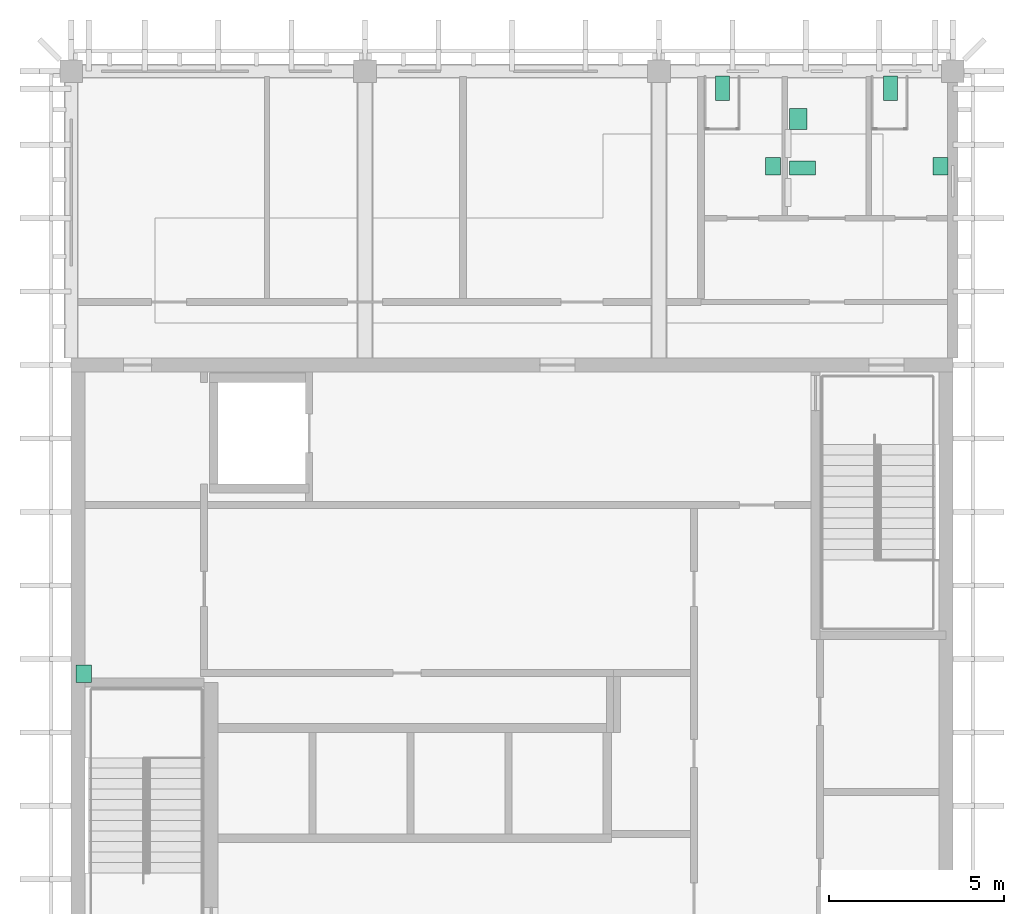
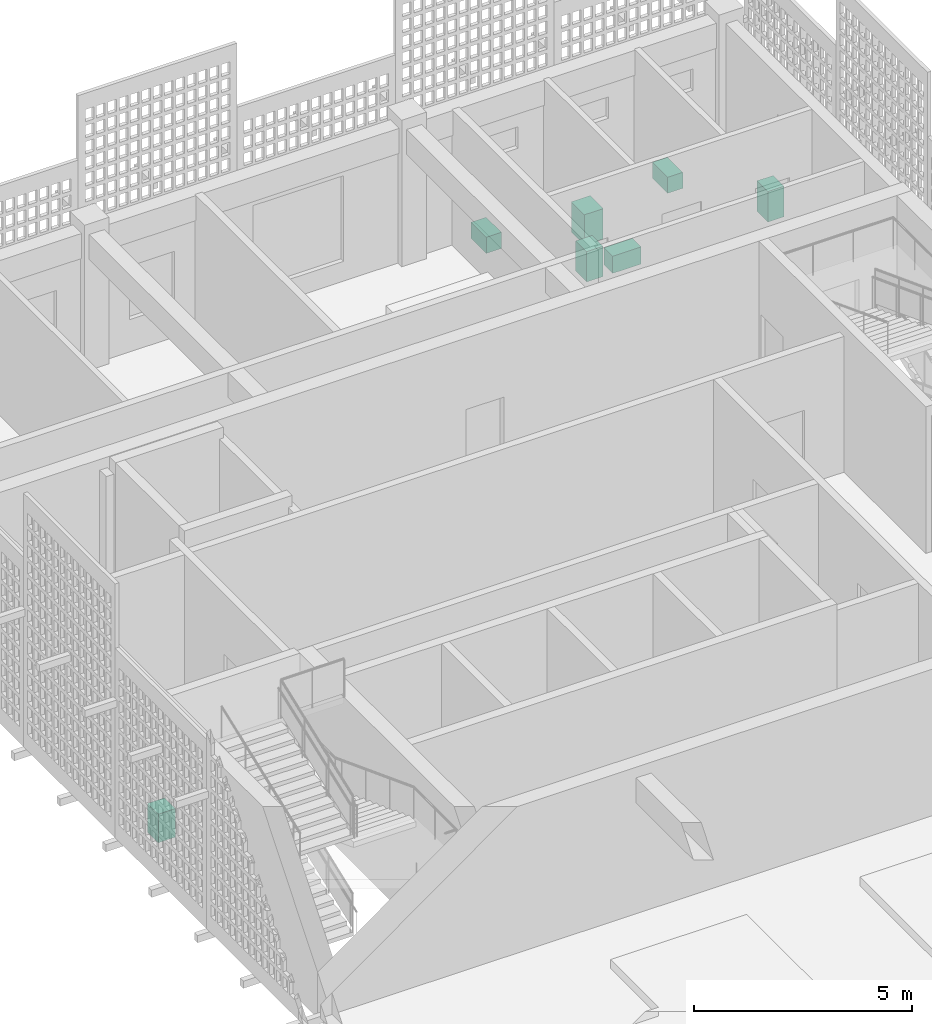
# One storey, part 23 of 23: 7 sanitary terminals.
"""IFC4 building model written with IfcOpenShell, lengths in metres."""

from ifc_helpers import new_model, si_unit, direction, frame, origin, origin_2d, place, context, subcontext, project, spatial, rectangle, extrude, material, type_object, element, save


model = new_model("IFC4")

# Units and contexts
model_context = context("Model", 3, precision=1e-05, world=origin(), true_north=direction((0.0, 1.0)))
body_context = subcontext(model_context, "Body", "Model", "MODEL_VIEW")
ifc_project = project(units=[si_unit("LENGTHUNIT", "METRE"), si_unit("AREAUNIT", "SQUARE_METRE"), si_unit("VOLUMEUNIT", "CUBIC_METRE"), si_unit("PLANEANGLEUNIT", "RADIAN"), si_unit("MASSUNIT", "GRAM", prefix="KILO")], contexts=[model_context])

# Site, building, storey
site_placement = place(None, origin())
site = spatial("IfcSite", under=ifc_project, at=site_placement, CompositionType="ELEMENT")
building_placement = place(site_placement, origin())
building = spatial("IfcBuilding", under=site, at=building_placement, Name="Rulbaag Community and Learning Centre", CompositionType="ELEMENT")
storey_placement = place(building_placement, frame((0.0, 0.0, 64.800048828125)))
storey = spatial("IfcBuildingStorey", under=building, at=storey_placement, Name="L17", CompositionType="ELEMENT", Elevation=64.800048828125)

# Sanitary terminals
ifc_material_1 = material(Name="Vitreous china", Category="ceramic")
sanitary_terminal_type_1 = type_object("IfcSanitaryTerminalType", Name="BS-500", PredefinedType="WASHHANDBASIN", material=ifc_material_1)
for number, where, z_axis, x_axis, name in (
    (1, (162.85498046875, 114.8798828125, 0.0), (0.0, 0.0, 1.0), (1.0, 0.0, 0.0), "Basin 114"),
    (2, (167.655029296875, 114.8798828125, 0.0), (0.0, 0.0, 1.0), (1.0, 0.0, 0.0), "Basin 115"),
):
    element("IfcSanitaryTerminal", number, at=place(storey_placement, frame(where, z_axis=z_axis, x_axis=x_axis)), inside=storey, type_object=sanitary_terminal_type_1, Name=name, PredefinedType="WASHHANDBASIN", context=body_context, shape_type="SweptSolid", body=[
        extrude(rectangle(XDim=0.429931640625, YDim=0.5, at=origin_2d()), origin(), (0.0, 0.0, 1.0), 0.85009765625),
    ])
sanitary_terminal_type_2 = type_object("IfcSanitaryTerminalType", Name="BS-AC-600", PredefinedType="WASHHANDBASIN", material=ifc_material_1)
sanitary_terminal_1_placement = place(storey_placement, frame((163.580078125, 116.22998046875, 0.0), z_axis=(0.0, 0.0, 1.0), x_axis=(1.0, 0.0, 0.0)))
element("IfcSanitaryTerminal", 3, at=sanitary_terminal_1_placement, inside=storey, type_object=sanitary_terminal_type_2, Name="Basin 116", PredefinedType="WASHHANDBASIN", context=body_context, shape_type="SweptSolid", body=[
    extrude(rectangle(XDim=0.5, YDim=0.60009765625, at=origin_2d()), origin(), (0.0, 0.0, 1.0), 0.85009765625),
])
ifc_material_2 = material(Name="Stainless steel", Category="steel")
sanitary_terminal_type_3 = type_object("IfcSanitaryTerminalType", Name="SK-CL-500", PredefinedType="SINK", material=ifc_material_2)
sanitary_terminal_2_placement = place(storey_placement, frame((143.155029296875, 100.3798828125, 0.0), z_axis=(0.0, 0.0, 1.0), x_axis=(1.0, 0.0, 0.0)))
element("IfcSanitaryTerminal", 4, at=sanitary_terminal_2_placement, inside=storey, type_object=sanitary_terminal_type_3, Name="Sink 26", PredefinedType="SINK", context=body_context, shape_type="SweptSolid", body=[
    extrude(rectangle(XDim=0.449951171875, YDim=0.5, at=origin_2d()), origin(), (0.0, 0.0, 1.0), 0.800048828125),
])
sanitary_terminal_type_4 = type_object("IfcSanitaryTerminalType", Name="WC-400", PredefinedType="TOILETPAN", material=ifc_material_1)
for number, where, z_axis, x_axis, name in (
    (5, (161.419921875, 117.1201171875, 0.0), (0.0, 0.0, 1.0), (1.0, 0.0, 0.0), "WC 176"),
    (6, (166.219970703125, 117.1201171875, 0.0), (0.0, 0.0, 1.0), (1.0, 0.0, 0.0), "WC 177"),
):
    element("IfcSanitaryTerminal", number, at=place(storey_placement, frame(where, z_axis=z_axis, x_axis=x_axis)), inside=storey, type_object=sanitary_terminal_type_4, Name=name, PredefinedType="TOILETPAN", context=body_context, shape_type="SweptSolid", body=[
        extrude(rectangle(XDim=0.39990234375, YDim=0.699951171875, at=origin_2d()), origin(), (0.0, 0.0, 1.0), 0.449951171875),
    ])
sanitary_terminal_type_5 = type_object("IfcSanitaryTerminalType", Name="WC-AC-480", PredefinedType="TOILETPAN", material=ifc_material_1)
sanitary_terminal_3_placement = place(storey_placement, frame((163.705078125, 114.830078125, 0.0), z_axis=(0.0, 0.0, 1.0), x_axis=(1.0, 0.0, 0.0)))
element("IfcSanitaryTerminal", 7, at=sanitary_terminal_3_placement, inside=storey, type_object=sanitary_terminal_type_5, Name="WC 178", PredefinedType="TOILETPAN", context=body_context, shape_type="SweptSolid", body=[
    extrude(rectangle(XDim=0.75, YDim=0.39990234375, at=origin_2d()), origin(), (0.0, 0.0, 1.0), 0.47998046875),
])

save(model, "model.ifc")
